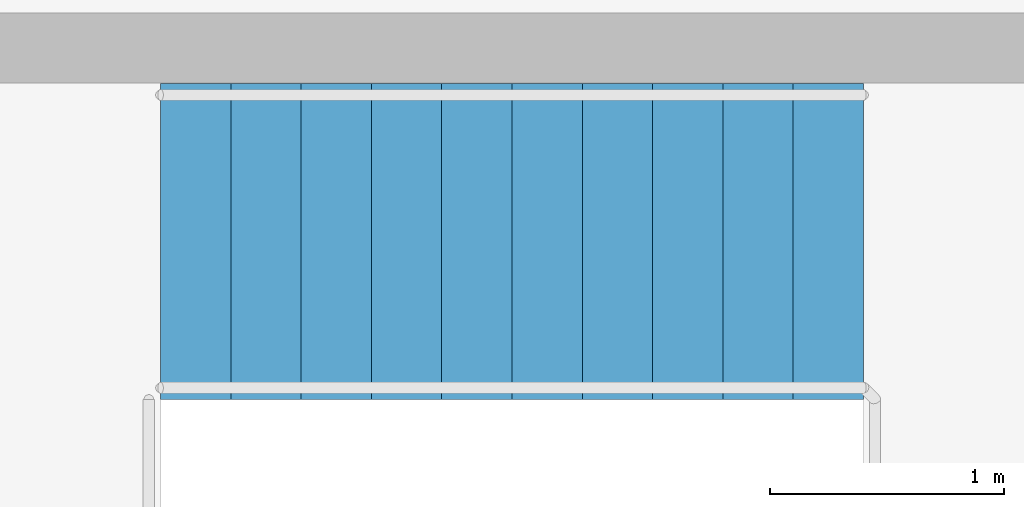
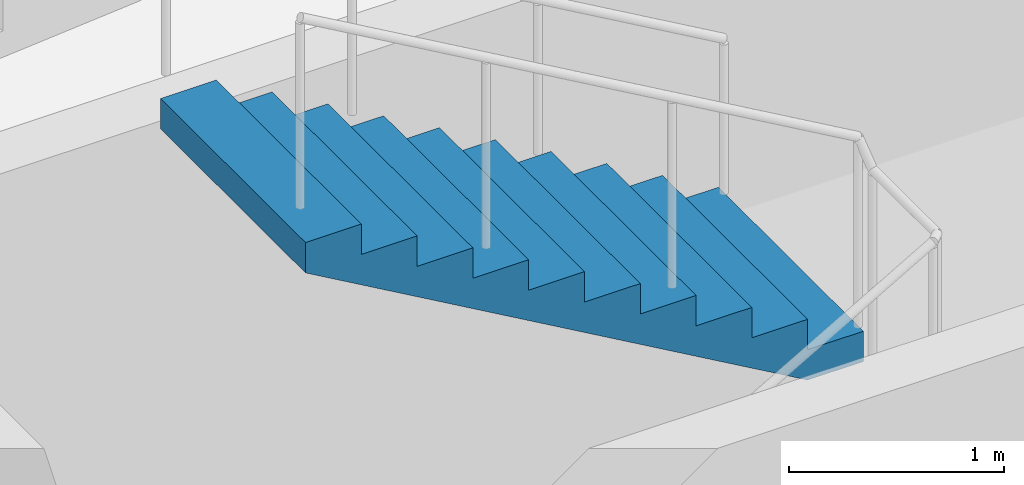
# One storey, part 7 of 8: 1 stair flight, 1 element without a shape of its own.
"""IFC4 building model written with IfcOpenShell, lengths in metres."""

from ifc_helpers import new_model, si_unit, direction, frame, origin, place, context, subcontext, project, spatial, polyline, outline, extrude, material, type_object, element, aggregate, save


model = new_model("IFC4")

# Units and contexts
model_context = context("Model", 3, precision=1e-05, world=origin(), true_north=direction((0.0, 1.0)))
body_context = subcontext(model_context, "Body", "Model", "MODEL_VIEW")
ifc_project = project(units=[si_unit("LENGTHUNIT", "METRE"), si_unit("AREAUNIT", "SQUARE_METRE"), si_unit("VOLUMEUNIT", "CUBIC_METRE"), si_unit("PLANEANGLEUNIT", "RADIAN"), si_unit("MASSUNIT", "GRAM", prefix="KILO")], contexts=[model_context])

# Site, building, storey
site_placement = place(None, origin())
site = spatial("IfcSite", under=ifc_project, at=site_placement, CompositionType="ELEMENT")
building_placement = place(site_placement, origin())
building = spatial("IfcBuilding", under=site, at=building_placement, Name="Brondeck Convention Tower", CompositionType="ELEMENT")
storey_placement = place(building_placement, frame((0.0, 0.0, 236.800048828125)))
storey = spatial("IfcBuildingStorey", under=building, at=storey_placement, Name="L58", CompositionType="ELEMENT", Elevation=236.800048828125)

# Stair, stair flight
ifc_material = material(Name="Precast concrete C50/60", Category="concrete")
stair_type = type_object("IfcStairType", Name="Core stair 22 risers 172.73 mm riser 300 mm going 1350 wide", PredefinedType="HALF_TURN_STAIR", material=ifc_material)
stair_placement = place(storey_placement, origin())
stair = element("IfcStair", 1, at=stair_placement, inside=storey, type_object=stair_type, Name="ST-AE L58 stair", PredefinedType="HALF_TURN_STAIR")
stair_flight_type = type_object("IfcStairFlightType", Name="Core stair flight 22 risers 172.73 mm riser 300 mm going 1350 wide", PredefinedType="STRAIGHT", material=ifc_material)
stair_flight_placement = place(storey_placement, frame((40.85009765625, 56.77490234375, 1.89990234375), z_axis=(0.0, 0.0, 1.0), x_axis=(-1.0, 0.0, 0.0)))
stair_flight = element("IfcStairFlight", 2, at=stair_flight_placement, type_object=stair_flight_type, Name="ST-AE flight 2", NumberOfRisers=11, NumberOfTreads=10, PredefinedType="STRAIGHT", RiserHeight=0.172727273, TreadLength=0.3, context=body_context, shape_type="SweptSolid", body=[
    extrude(outline(polyline([(0.0, 0.0), (0.0, 0.172607421875), (0.300048828125, 0.172607421875), (0.300048828125, 0.345458984375), (0.60009765625, 0.345458984375), (0.60009765625, 0.51806640625), (0.89990234375, 0.51806640625), (0.89990234375, 0.69091796875), (1.199951171875, 0.69091796875), (1.199951171875, 0.863525390625), (1.5, 0.863525390625), (1.5, 1.036376953125), (1.800048828125, 1.036376953125), (1.800048828125, 1.208984375), (2.10009765625, 1.208984375), (2.10009765625, 1.3818359375), (2.39990234375, 1.3818359375), (2.39990234375, 1.554443359375), (2.699951171875, 1.554443359375), (2.699951171875, 1.727294921875), (3.0, 1.727294921875), (3.0, 1.89990234375), (3.0, 1.55419921875), (0.300537109375, 0.0), (0.0, 0.0)])), frame((0.0, 0.675048828125, 0.0), z_axis=(0.0, -1.0, 0.0), x_axis=(1.0, 0.0, 0.0)), (0.0, 0.0, 1.0), 1.35009765625),
])
aggregate(stair, [stair_flight])

save(model, "model.ifc")
